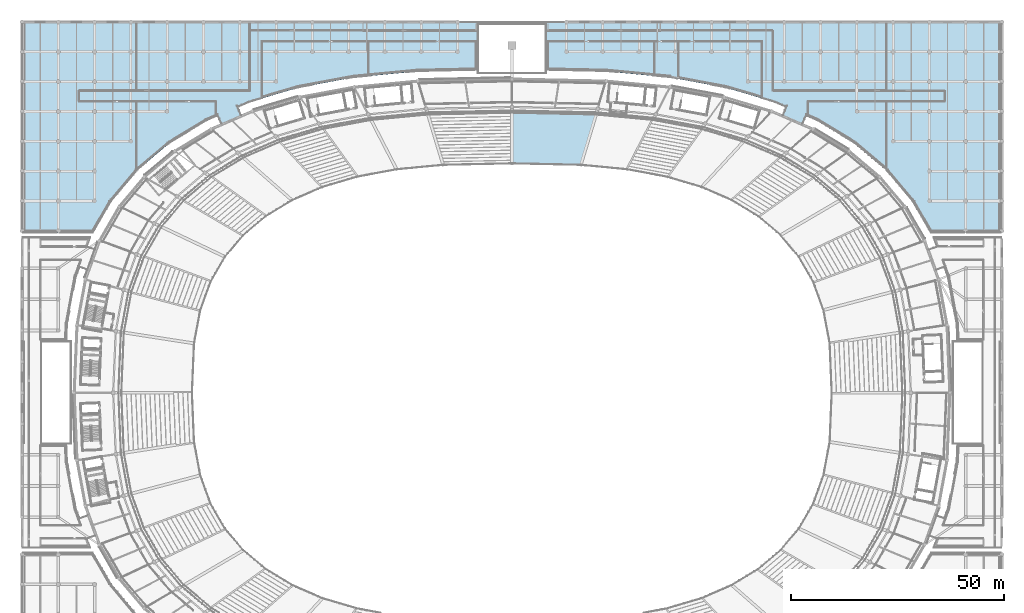
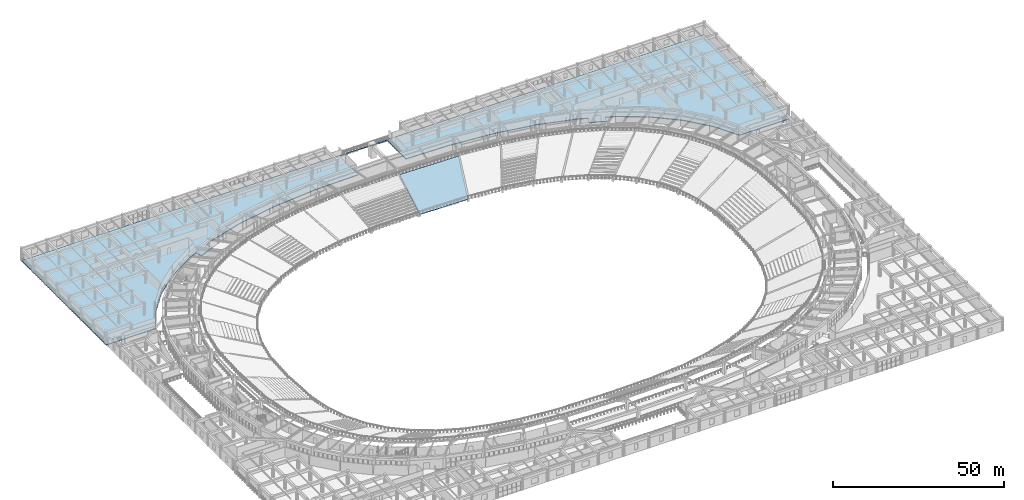
# One storey, part 86 of 137: 2 slabs.
"""IFC4 building model written with IfcOpenShell, lengths in metres."""

from ifc_helpers import new_model, si_unit, direction, frame, origin, place, context, subcontext, project, spatial, polyline, outline, extrude, material, layer, layer_set, type_object, element, save


model = new_model("IFC4")

# Units and contexts
model_context = context("Model", 3, precision=1e-05, world=origin(), true_north=direction((0.0, 1.0)))
body_context = subcontext(model_context, "Body", "Model", "MODEL_VIEW")
ifc_project = project(units=[si_unit("LENGTHUNIT", "METRE"), si_unit("AREAUNIT", "SQUARE_METRE"), si_unit("VOLUMEUNIT", "CUBIC_METRE"), si_unit("PLANEANGLEUNIT", "RADIAN"), si_unit("MASSUNIT", "GRAM", prefix="KILO")], contexts=[model_context])

# Site, building, storey
site_placement = place(None, origin())
site = spatial("IfcSite", under=ifc_project, at=site_placement, CompositionType="ELEMENT")
building_placement = place(site_placement, origin())
building = spatial("IfcBuilding", under=site, at=building_placement, Name="Mphavela Belvedere Stadium", CompositionType="ELEMENT")
storey_placement = place(building_placement, frame((0.0, 0.0, 19.199951171875)))
storey = spatial("IfcBuildingStorey", under=building, at=storey_placement, Name="L04", CompositionType="ELEMENT", Elevation=19.199951171875)

# Slabs
ifc_material_1 = material(Name="Concrete C40/50", Category="concrete")
ifc_layer_1 = layer(ifc_material_1, 0.260009765625)
ifc_layer_set_1 = layer_set([ifc_layer_1], Name="Concrete C40/50")
slab_type_1 = type_object("IfcSlabType", Name="SLB-PAVILION-260", PredefinedType="FLOOR", material=ifc_layer_set_1)
slab_1_placement = place(storey_placement, frame((0.0, 0.0, -0.260009765625)))
element("IfcSlab", 1, at=slab_1_placement, inside=storey, type_object=slab_type_1, Name="North Mast and Ceremonial End Forecourt floor slab L04-1", PredefinedType="FLOOR", context=body_context, shape_type="SweptSolid", body=[
    extrude(outline(polyline([(213.346435546875, 124.5), (209.147216796875, 131.7626953125), (209.042236328125, 131.9267578125), (208.92333984375, 132.080810546875), (203.019287109375, 139.072998046875), (202.893798828125, 139.20947265625), (202.757080078125, 139.3349609375), (195.574462890625, 145.39599609375), (195.4404296875, 145.500244140625), (195.299072265625, 145.593994140625), (186.839599609375, 150.740478515625), (186.5712890625, 150.87939453125), (184.077392578125, 151.96044921875), (183.202392578125, 149.94189453125), (178.431396484375, 152.01025390625), (179.306396484375, 154.02880859375), (176.8125, 155.10986328125), (176.563720703125, 155.2001953125), (165.42724609375, 158.505859375), (165.2041015625, 158.559814453125), (152.4755859375, 160.93017578125), (152.281494140625, 160.95751953125), (137.323486328125, 162.3837890625), (137.162109375, 162.393310546875), (123.0, 162.6982421875), (123.0, 173.5), (120.199951171875, 173.5), (120.199951171875, 173.699951171875), (109.800048828125, 173.699951171875), (109.800048828125, 173.5), (107.0, 173.5), (107.0, 162.6982421875), (92.837890625, 162.393310546875), (92.676513671875, 162.3837890625), (77.718505859375, 160.95751953125), (77.5244140625, 160.93017578125), (64.7958984375, 158.559814453125), (64.57275390625, 158.505859375), (53.436279296875, 155.2001953125), (53.1875, 155.10986328125), (50.693603515625, 154.02880859375), (51.568603515625, 152.01025390625), (46.797607421875, 149.94189453125), (45.922607421875, 151.96044921875), (43.4287109375, 150.87939453125), (43.160400390625, 150.740478515625), (34.700927734375, 145.593994140625), (34.5595703125, 145.500244140625), (34.425537109375, 145.39599609375), (27.242919921875, 139.3349609375), (27.106201171875, 139.20947265625), (26.980712890625, 139.072998046875), (21.07666015625, 132.080810546875), (20.957763671875, 131.9267578125), (20.852783203125, 131.7626953125), (16.653564453125, 124.5), (0.0, 124.5), (0.0, 174.0), (230.0, 174.0), (230.0, 124.5), (213.346435546875, 124.5)])), origin(), (0.0, 0.0, 1.0), 0.260009765625),
])
ifc_material_2 = material(Name="Precast concrete C45/55", Category="concrete")
ifc_layer_2 = layer(ifc_material_2, 0.25)
ifc_layer_set_2 = layer_set([ifc_layer_2], Name="Precast concrete C45/55")
slab_type_2 = type_object("IfcSlabType", Name="SLB-TIER-UPPER", PredefinedType="USERDEFINED", material=ifc_layer_set_2)
slab_2_placement = place(storey_placement, frame((131.14794921875, 140.4453125, -3.75), z_axis=(-0.01092721603, -0.507481607942, 0.861593299388), x_axis=(-0.999768306672, 0.021525170699, -1.22567e-06)))
element("IfcSlab", 2, at=slab_2_placement, inside=storey, type_object=slab_type_2, Name="Upper seating tier slab L04-12", ObjectType="SEATING TIER", PredefinedType="USERDEFINED", context=body_context, shape_type="SweptSolid", body=[
    extrude(outline(polyline([(0.0, 0.0), (16.151691206773513, -5.551115123125783e-17), (16.407498980704798, -13.790446450163945), (-3.312403877888718, -13.790359833111165), (0.0, 0.0)])), origin(), (0.0, 0.0, -1.0), 0.25),
])

save(model, "model.ifc")
